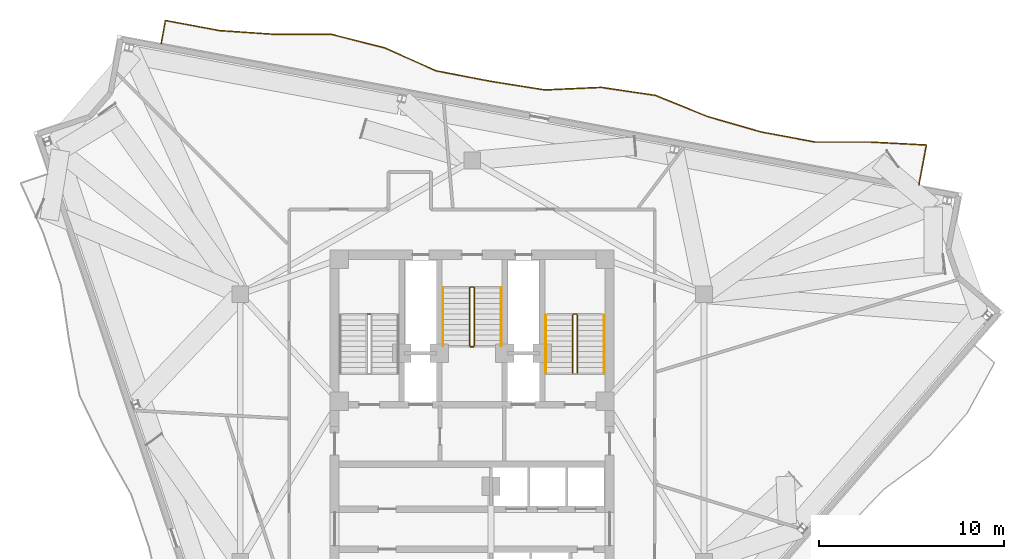
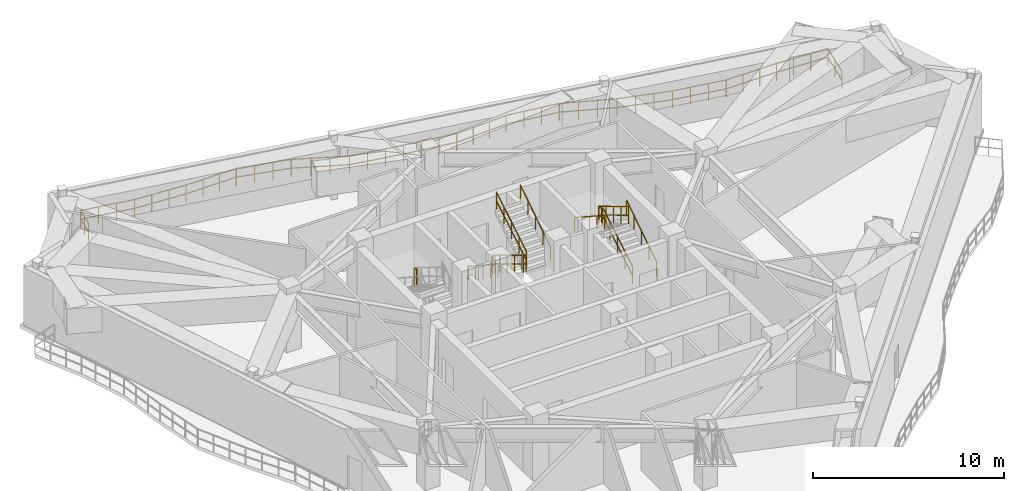
# One storey, part 10 of 10: 13 railings.
"""IFC4 building model written with IfcOpenShell, lengths in metres."""

import ifcopenshell
import ifcopenshell.guid

model = None  # the IFC model being written
_history = None  # IfcOwnerHistory: only IFC2X3 demands one
_inside = {}  # id of a spatial element -> (the spatial element, [elements in it])
_under = {}  # id of a project, library or spatial element -> (it, [spatial elements below it])
_declared = {}  # id of a project -> (the project, [libraries it declares])
_typed = {}  # id of a type object -> (the type object, [elements of that type])
_made_of = {}  # id of a material, layer set ... -> (it, [elements and type objects made of it])


def new_model(schema):
    """Start an empty IFC model of exactly this schema.

    Asked for "IFC4X3", IfcOpenShell would pick the latest addendum, in which some entities
    have other attributes; the version numbers below select the first issue.
    IFC2X3 requires an IfcOwnerHistory on every rooted entity: one is made here for all.
    """
    global model, _history
    if schema == "IFC4X3":
        model = ifcopenshell.file(schema_version=(4, 3, 0, 0))
    else:
        model = ifcopenshell.file(schema=schema)
    _inside.clear()
    _under.clear()
    _declared.clear()
    _typed.clear()
    _made_of.clear()
    _history = None
    if model.schema == "IFC2X3":
        org = make("IfcOrganization", Name="unknown")
        user = make(
            "IfcPersonAndOrganization",
            ThePerson=make("IfcPerson", FamilyName="unknown"),
            TheOrganization=org,
        )
        app = make(
            "IfcApplication",
            ApplicationDeveloper=org,
            Version="unknown",
            ApplicationFullName="unknown",
            ApplicationIdentifier="unknown",
        )
        _history = make(
            "IfcOwnerHistory",
            OwningUser=user,
            OwningApplication=app,
            ChangeAction="ADDED",
            CreationDate=0,
        )
    return model


def make(cls, **values):
    """One entity of the class cls with the attributes given. An attribute that is None is left unset."""
    return model.create_entity(
        cls, **{name: value for name, value in values.items() if value is not None}
    )


def rooted(cls, **values):
    """An entity with a GlobalId (a new one), such as an element, a storey or a relation."""
    return make(cls, GlobalId=ifcopenshell.guid.new(), OwnerHistory=_history, **values)


def si_unit(unit_type, name, prefix=None):
    """IfcSIUnit, for example si_unit("LENGTHUNIT", "METRE", prefix="MILLI")."""
    return make("IfcSIUnit", UnitType=unit_type, Prefix=prefix, Name=name)


def assignment(units):
    """IfcUnitAssignment: the units of a project."""
    return None if units is None else make("IfcUnitAssignment", Units=units)


def point(xyz):
    """IfcCartesianPoint."""
    return None if xyz is None else make("IfcCartesianPoint", Coordinates=xyz)


def direction(xyz):
    """IfcDirection."""
    return None if xyz is None else make("IfcDirection", DirectionRatios=xyz)


def frame(location, z_axis=None, x_axis=None):
    """IfcAxis2Placement3D, a coordinate frame: its origin and axes. An axis left out is left unset."""
    return make(
        "IfcAxis2Placement3D",
        Location=point(location),
        Axis=direction(z_axis),
        RefDirection=direction(x_axis),
    )


def frame_2d(location, x_axis=None):
    """IfcAxis2Placement2D, a coordinate frame in the plane: its origin and x axis."""
    return make(
        "IfcAxis2Placement2D", Location=point(location), RefDirection=direction(x_axis)
    )


def origin():
    """The frame at (0, 0, 0) with its axes left unset."""
    return frame((0.0, 0.0, 0.0))


def origin_2d():
    """The frame at (0, 0) in the plane with its x axis left unset."""
    return frame_2d((0.0, 0.0))


def place(relative_to, where):
    """IfcLocalPlacement: puts the frame where relative to a parent placement (None: the world)."""
    return make(
        "IfcLocalPlacement", PlacementRelTo=relative_to, RelativePlacement=where
    )


def context(
    kind, dimensions, precision=None, world=None, true_north=None, identifier=None
):
    """IfcGeometricRepresentationContext, for example the 3D "Model" context."""
    return make(
        "IfcGeometricRepresentationContext",
        ContextIdentifier=identifier,
        ContextType=kind,
        CoordinateSpaceDimension=dimensions,
        Precision=precision,
        WorldCoordinateSystem=world,
        TrueNorth=true_north,
    )


def subcontext(parent, identifier, kind, view, scale=None):
    """IfcGeometricRepresentationSubContext, for example "Body" below "Model"."""
    return make(
        "IfcGeometricRepresentationSubContext",
        ContextIdentifier=identifier,
        ContextType=kind,
        ParentContext=parent,
        TargetScale=scale,
        TargetView=view,
    )


def project(units=None, contexts=None):
    """IfcProject with its units and contexts."""
    return rooted(
        "IfcProject",
        Name="project",
        RepresentationContexts=contexts,
        UnitsInContext=assignment(units),
    )


def spatial(cls, under=None, at=None, **own):
    """A site, building, storey or space (cls), placed at a placement, below another one or the project."""
    s = rooted(cls, ObjectPlacement=at, **own)
    if under is not None:
        _under.setdefault(under.id(), (under, []))[1].append(s)
    return s


def profile(cls, at=None, kind="AREA", **sizes):
    """A parametric profile (cls). Its sizes go by their IFC names, for example OverallWidth=200.0."""
    return make(cls, ProfileType=kind, Position=at, **sizes)


def rectangle(**sizes):
    """IfcRectangleProfileDef."""
    return profile("IfcRectangleProfileDef", **sizes)


def extrude(swept, where, along, depth):
    """IfcExtrudedAreaSolid: the profile swept, set in the frame where, extruded along a direction by depth."""
    return make(
        "IfcExtrudedAreaSolid",
        SweptArea=swept,
        Position=where,
        ExtrudedDirection=direction(along),
        Depth=depth,
    )


def shape(context_of_items, identifier, shape_type, items):
    """IfcShapeRepresentation: the items that make up one representation, for example the "Body"."""
    return make(
        "IfcShapeRepresentation",
        ContextOfItems=context_of_items,
        RepresentationIdentifier=identifier,
        RepresentationType=shape_type,
        Items=items,
    )


def material(Name=None, Category=None):
    """IfcMaterial."""
    return make("IfcMaterial", Name=Name, Category=Category)


def made_of(thing, what):
    """Note that an element or type object is made of a material, layer set ...; save() writes the relation."""
    if what is not None:
        _made_of.setdefault(what.id(), (what, []))[1].append(thing)
    return thing


def type_object(cls, material=None, **own):
    """A type object (cls), such as IfcWallType, which elements share."""
    return made_of(rooted(cls, **own), material)


def element(
    cls,
    number,
    at=None,
    inside=None,
    cuts=None,
    type_object=None,
    material=None,
    context=None,
    identifier="Body",
    shape_type=None,
    held_by="IfcProductDefinitionShape",
    body=None,
    shapes=None,
    **own,
):
    """One element of the class cls, such as IfcWall. Its Tag is "e" and its number.

    at: its placement. inside: the storey or other place that contains it. cuts: it is an
    opening in that element (IfcRelVoidsElement). A single representation is given by context,
    identifier, shape_type and body (its items); several are given by shapes. held_by: the class
    of the entity that holds the representations. save() writes the other relations.
    """
    e = rooted(cls, Tag="e%d" % number, ObjectPlacement=at, **own)
    if body is not None:
        shapes = [shape(context, identifier, shape_type, body)]
    if shapes is not None:
        e.Representation = make(held_by, Representations=shapes)
    if inside is not None:
        _inside.setdefault(inside.id(), (inside, []))[1].append(e)
    if cuts is not None:
        rooted(
            "IfcRelVoidsElement", RelatingBuildingElement=cuts, RelatedOpeningElement=e
        )
    if type_object is not None:
        _typed.setdefault(type_object.id(), (type_object, []))[1].append(e)
    return made_of(e, material)


def aggregate(whole, parts):
    """IfcRelAggregates: a whole, such as a stair, and the parts it consists of."""
    return rooted("IfcRelAggregates", RelatingObject=whole, RelatedObjects=parts)


def save(model, path):
    """Write the relations noted so far, then the file.

    IfcRelAggregates (storeys below a building ...), IfcRelContainedInSpatialStructure (elements
    in a storey), IfcRelDefinesByType, IfcRelAssociatesMaterial and IfcRelDeclares: one each for
    every whole, place, type object, material and project.
    """
    for whole, parts in _under.values():
        aggregate(whole, parts)
    for where, things in _inside.values():
        rooted(
            "IfcRelContainedInSpatialStructure",
            RelatedElements=things,
            RelatingStructure=where,
        )
    for kind, things in _typed.values():
        rooted("IfcRelDefinesByType", RelatedObjects=things, RelatingType=kind)
    for what, things in _made_of.values():
        rooted("IfcRelAssociatesMaterial", RelatedObjects=things, RelatingMaterial=what)
    for by, libraries in _declared.values():
        rooted("IfcRelDeclares", RelatingContext=by, RelatedDefinitions=libraries)
    model.write(path)


model = new_model("IFC4")

# Units and contexts
model_context = context("Model", 3, precision=1e-05, world=origin(), true_north=direction((0.0, 1.0)))
body_context = subcontext(model_context, "Body", "Model", "MODEL_VIEW")
ifc_project = project(units=[si_unit("LENGTHUNIT", "METRE"), si_unit("AREAUNIT", "SQUARE_METRE"), si_unit("VOLUMEUNIT", "CUBIC_METRE"), si_unit("PLANEANGLEUNIT", "RADIAN"), si_unit("MASSUNIT", "GRAM", prefix="KILO")], contexts=[model_context])

# Site, building, storey
site_placement = place(None, origin())
site = spatial("IfcSite", under=ifc_project, at=site_placement, CompositionType="ELEMENT")
building_placement = place(site_placement, origin())
building = spatial("IfcBuilding", under=site, at=building_placement, Name="Apsidion Concourse Tower", CompositionType="ELEMENT")
storey_placement = place(building_placement, frame((0.0, 0.0, 290.10009765625)))
storey = spatial("IfcBuildingStorey", under=building, at=storey_placement, Name="L68", CompositionType="ELEMENT", Elevation=290.10009765625)

# Railings
ifc_material = material(Name="Brushed stainless steel 316", Category="steel")
railing_type_1 = type_object("IfcRailingType", Name="RL-BAL-1120", PredefinedType="BALUSTRADE", material=ifc_material)
railing_1_placement = place(storey_placement, frame((-16.84228515625, 20.8583984375, 0.0)))
element("IfcRailing", 1, at=railing_1_placement, inside=storey, type_object=railing_type_1, Name="L68 Face 3 Rippling Balcony Balustrade", PredefinedType="BALUSTRADE", context=body_context, shape_type="SweptSolid", body=[
    extrude(rectangle(XDim=0.048095703125, YDim=0.048095703125, at=origin_2d()), frame((0.0, 0.0, 1.09619140625), z_axis=(0.183970153766, 0.982931830049, 0.0), x_axis=(-0.982931830049, 0.183970153766, 0.0)), (0.0, 0.0, 1.0), 1.25),
    extrude(rectangle(XDim=0.048095703125, YDim=0.048095703125, at=origin_2d()), frame((0.0, 0.0, 0.5361328125), z_axis=(0.183970153766, 0.982931830049, 0.0), x_axis=(-0.982931830049, 0.183970153766, 0.0)), (0.0, 0.0, 1.0), 1.25),
    extrude(rectangle(XDim=0.048095703125, YDim=0.048095703125, at=origin_2d()), frame((0.22998046875, 1.228759765625, 1.09619140625), z_axis=(0.982944381003, -0.183903082774, 0.0), x_axis=(0.183903082774, 0.982944381003, 0.0)), (0.0, 0.0, 1.0), 2.98291015625),
    extrude(rectangle(XDim=0.048095703125, YDim=0.048095703125, at=origin_2d()), frame((0.22998046875, 1.228759765625, 0.5361328125), z_axis=(0.982944381003, -0.183903082774, 0.0), x_axis=(0.183903082774, 0.982944381003, 0.0)), (0.0, 0.0, 1.0), 2.98291015625),
    extrude(rectangle(XDim=0.048095703125, YDim=0.048095703125, at=origin_2d()), frame((3.162109375, 0.68017578125, 1.09619140625), z_axis=(0.997721772554, -0.067463060792, 0.0), x_axis=(0.067463060792, 0.997721772554, 0.0)), (0.0, 0.0, 1.0), 3.003662109375),
    extrude(rectangle(XDim=0.048095703125, YDim=0.048095703125, at=origin_2d()), frame((3.162109375, 0.68017578125, 0.5361328125), z_axis=(0.997721772554, -0.067463060792, 0.0), x_axis=(0.067463060792, 0.997721772554, 0.0)), (0.0, 0.0, 1.0), 3.003662109375),
    extrude(rectangle(XDim=0.048095703125, YDim=0.048095703125, at=origin_2d()), frame((6.158935546875, 0.4775390625, 1.09619140625), z_axis=(0.99999728104, 0.00233193319, 0.0), x_axis=(-0.00233193319, 0.99999728104, 0.0)), (0.0, 0.0, 1.0), 3.0361328125),
    extrude(rectangle(XDim=0.048095703125, YDim=0.048095703125, at=origin_2d()), frame((6.158935546875, 0.4775390625, 0.5361328125), z_axis=(0.99999728104, 0.00233193319, 0.0), x_axis=(-0.00233193319, 0.99999728104, 0.0)), (0.0, 0.0, 1.0), 3.0361328125),
    extrude(rectangle(XDim=0.048095703125, YDim=0.048095703125, at=origin_2d()), frame((9.195068359375, 0.484619140625, 1.09619140625), z_axis=(0.96934943202, -0.245686138483, 0.0), x_axis=(0.245686138483, 0.96934943202, 0.0)), (0.0, 0.0, 1.0), 2.989013671875),
    extrude(rectangle(XDim=0.048095703125, YDim=0.048095703125, at=origin_2d()), frame((9.195068359375, 0.484619140625, 0.5361328125), z_axis=(0.96934943202, -0.245686138483, 0.0), x_axis=(0.245686138483, 0.96934943202, 0.0)), (0.0, 0.0, 1.0), 2.989013671875),
    extrude(rectangle(XDim=0.048095703125, YDim=0.048095703125, at=origin_2d()), frame((12.092529296875, -0.249755859375, 1.09619140625), z_axis=(0.913354695887, -0.407164830875, 0.0), x_axis=(0.407164830875, 0.913354695887, 0.0)), (0.0, 0.0, 1.0), 3.06689453125),
    extrude(rectangle(XDim=0.048095703125, YDim=0.048095703125, at=origin_2d()), frame((12.092529296875, -0.249755859375, 0.5361328125), z_axis=(0.913354695887, -0.407164830875, 0.0), x_axis=(0.407164830875, 0.913354695887, 0.0)), (0.0, 0.0, 1.0), 3.06689453125),
    extrude(rectangle(XDim=0.048095703125, YDim=0.048095703125, at=origin_2d()), frame((14.893798828125, -1.49853515625, 1.09619140625), z_axis=(0.981965560315, -0.189059880341, 0.0), x_axis=(0.189059880341, 0.981965560315, 0.0)), (0.0, 0.0, 1.0), 2.98291015625),
    extrude(rectangle(XDim=0.048095703125, YDim=0.048095703125, at=origin_2d()), frame((14.893798828125, -1.49853515625, 0.5361328125), z_axis=(0.981965560315, -0.189059880341, 0.0), x_axis=(0.189059880341, 0.981965560315, 0.0)), (0.0, 0.0, 1.0), 2.98291015625),
    extrude(rectangle(XDim=0.048095703125, YDim=0.048095703125, at=origin_2d()), frame((17.822998046875, -2.0625, 1.09619140625), z_axis=(0.98749418171, -0.157655450551, 0.0), x_axis=(0.157655450551, 0.98749418171, 0.0)), (0.0, 0.0, 1.0), 2.984130859375),
    extrude(rectangle(XDim=0.048095703125, YDim=0.048095703125, at=origin_2d()), frame((17.822998046875, -2.0625, 0.5361328125), z_axis=(0.98749418171, -0.157655450551, 0.0), x_axis=(0.157655450551, 0.98749418171, 0.0)), (0.0, 0.0, 1.0), 2.984130859375),
    extrude(rectangle(XDim=0.048095703125, YDim=0.048095703125, at=origin_2d()), frame((20.769775390625, -2.532958984375, 1.09619140625), z_axis=(0.998989464553, 0.044944963147, 0.0), x_axis=(-0.044944963147, 0.998989464553, 0.0)), (0.0, 0.0, 1.0), 3.063720703125),
    extrude(rectangle(XDim=0.048095703125, YDim=0.048095703125, at=origin_2d()), frame((20.769775390625, -2.532958984375, 0.5361328125), z_axis=(0.998989464553, 0.044944963147, 0.0), x_axis=(-0.044944963147, 0.998989464553, 0.0)), (0.0, 0.0, 1.0), 3.063720703125),
    extrude(rectangle(XDim=0.048095703125, YDim=0.048095703125, at=origin_2d()), frame((23.830322265625, -2.395263671875, 1.09619140625), z_axis=(0.98927448252, -0.146068471047, 0.0), x_axis=(0.146068471047, 0.98927448252, 0.0)), (0.0, 0.0, 1.0), 2.985107421875),
    extrude(rectangle(XDim=0.048095703125, YDim=0.048095703125, at=origin_2d()), frame((23.830322265625, -2.395263671875, 0.5361328125), z_axis=(0.98927448252, -0.146068471047, 0.0), x_axis=(0.146068471047, 0.98927448252, 0.0)), (0.0, 0.0, 1.0), 2.985107421875),
    extrude(rectangle(XDim=0.048095703125, YDim=0.048095703125, at=origin_2d()), frame((26.783447265625, -2.831298828125, 1.09619140625), z_axis=(0.926270733446, -0.376858764474, 0.0), x_axis=(0.376858764474, 0.926270733446, 0.0)), (0.0, 0.0, 1.0), 3.044921875),
    extrude(rectangle(XDim=0.048095703125, YDim=0.048095703125, at=origin_2d()), frame((26.783447265625, -2.831298828125, 0.5361328125), z_axis=(0.926270733446, -0.376858764474, 0.0), x_axis=(0.376858764474, 0.926270733446, 0.0)), (0.0, 0.0, 1.0), 3.044921875),
    extrude(rectangle(XDim=0.048095703125, YDim=0.048095703125, at=origin_2d()), frame((29.603759765625, -3.978759765625, 1.09619140625), z_axis=(0.961212789096, -0.275807857175, 0.0), x_axis=(0.275807857175, 0.961212789096, 0.0)), (0.0, 0.0, 1.0), 2.996337890625),
    extrude(rectangle(XDim=0.048095703125, YDim=0.048095703125, at=origin_2d()), frame((29.603759765625, -3.978759765625, 0.5361328125), z_axis=(0.961212789096, -0.275807857175, 0.0), x_axis=(0.275807857175, 0.961212789096, 0.0)), (0.0, 0.0, 1.0), 2.996337890625),
    extrude(rectangle(XDim=0.048095703125, YDim=0.048095703125, at=origin_2d()), frame((32.48388671875, -4.80517578125, 1.09619140625), z_axis=(0.982944381003, -0.183903082774, 0.0), x_axis=(0.183903082774, 0.982944381003, 0.0)), (0.0, 0.0, 1.0), 2.98291015625),
    extrude(rectangle(XDim=0.048095703125, YDim=0.048095703125, at=origin_2d()), frame((32.48388671875, -4.80517578125, 0.5361328125), z_axis=(0.982944381003, -0.183903082774, 0.0), x_axis=(0.183903082774, 0.982944381003, 0.0)), (0.0, 0.0, 1.0), 2.98291015625),
    extrude(rectangle(XDim=0.048095703125, YDim=0.048095703125, at=origin_2d()), frame((35.416015625, -5.353759765625, 1.09619140625), z_axis=(0.999998571945, -0.001690002415, 0.0), x_axis=(0.001690002415, 0.999998571945, 0.0)), (0.0, 0.0, 1.0), 3.03369140625),
    extrude(rectangle(XDim=0.048095703125, YDim=0.048095703125, at=origin_2d()), frame((35.416015625, -5.353759765625, 0.5361328125), z_axis=(0.999998571945, -0.001690002415, 0.0), x_axis=(0.001690002415, 0.999998571945, 0.0)), (0.0, 0.0, 1.0), 3.03369140625),
    extrude(rectangle(XDim=0.048095703125, YDim=0.048095703125, at=origin_2d()), frame((38.44970703125, -5.35888671875, 1.09619140625), z_axis=(0.998617381106, -0.052567348737, 0.0), x_axis=(0.052567348737, 0.998617381106, 0.0)), (0.0, 0.0, 1.0), 3.009521484375),
    extrude(rectangle(XDim=0.048095703125, YDim=0.048095703125, at=origin_2d()), frame((38.44970703125, -5.35888671875, 0.5361328125), z_axis=(0.998617381106, -0.052567348737, 0.0), x_axis=(0.052567348737, 0.998617381106, 0.0)), (0.0, 0.0, 1.0), 3.009521484375),
    extrude(rectangle(XDim=0.048095703125, YDim=0.048095703125, at=origin_2d()), frame((41.455078125, -5.51708984375, 1.09619140625), z_axis=(-0.183893181526, -0.982946233417, 0.0), x_axis=(0.982946233417, -0.183893181526, 0.0)), (0.0, 0.0, 1.0), 2.199951171875),
    extrude(rectangle(XDim=0.048095703125, YDim=0.048095703125, at=origin_2d()), frame((41.455078125, -5.51708984375, 0.5361328125), z_axis=(-0.183893181526, -0.982946233417, 0.0), x_axis=(0.982946233417, -0.183893181526, 0.0)), (0.0, 0.0, 1.0), 2.199951171875),
    extrude(rectangle(XDim=0.0419921875, YDim=0.0419921875, at=origin_2d()), origin(), (0.0, 0.0, 1.0), 1.072021484375),
    extrude(rectangle(XDim=0.0419921875, YDim=0.0419921875, at=origin_2d()), frame((0.114990234375, 0.6142578125, 0.0)), (0.0, 0.0, 1.0), 1.072021484375),
    extrude(rectangle(XDim=0.0419921875, YDim=0.0419921875, at=origin_2d()), frame((0.22998046875, 1.228759765625, 0.0)), (0.0, 0.0, 1.0), 1.072021484375),
    extrude(rectangle(XDim=0.0419921875, YDim=0.0419921875, at=origin_2d()), frame((1.207275390625, 1.0458984375, 0.0)), (0.0, 0.0, 1.0), 1.072021484375),
    extrude(rectangle(XDim=0.0419921875, YDim=0.0419921875, at=origin_2d()), frame((2.184814453125, 0.863037109375, 0.0)), (0.0, 0.0, 1.0), 1.072021484375),
    extrude(rectangle(XDim=0.0419921875, YDim=0.0419921875, at=origin_2d()), frame((3.162109375, 0.68017578125, 0.0)), (0.0, 0.0, 1.0), 1.072021484375),
    extrude(rectangle(XDim=0.0419921875, YDim=0.0419921875, at=origin_2d()), frame((4.1611328125, 0.612548828125, 0.0)), (0.0, 0.0, 1.0), 1.072021484375),
    extrude(rectangle(XDim=0.0419921875, YDim=0.0419921875, at=origin_2d()), frame((5.159912109375, 0.545166015625, 0.0)), (0.0, 0.0, 1.0), 1.072021484375),
    extrude(rectangle(XDim=0.0419921875, YDim=0.0419921875, at=origin_2d()), frame((6.158935546875, 0.4775390625, 0.0)), (0.0, 0.0, 1.0), 1.072021484375),
    extrude(rectangle(XDim=0.0419921875, YDim=0.0419921875, at=origin_2d()), frame((7.1708984375, 0.47998046875, 0.0)), (0.0, 0.0, 1.0), 1.072021484375),
    extrude(rectangle(XDim=0.0419921875, YDim=0.0419921875, at=origin_2d()), frame((8.18310546875, 0.482177734375, 0.0)), (0.0, 0.0, 1.0), 1.072021484375),
    extrude(rectangle(XDim=0.0419921875, YDim=0.0419921875, at=origin_2d()), frame((9.195068359375, 0.484619140625, 0.0)), (0.0, 0.0, 1.0), 1.072021484375),
    extrude(rectangle(XDim=0.0419921875, YDim=0.0419921875, at=origin_2d()), frame((10.160888671875, 0.23974609375, 0.0)), (0.0, 0.0, 1.0), 1.072021484375),
    extrude(rectangle(XDim=0.0419921875, YDim=0.0419921875, at=origin_2d()), frame((11.126708984375, -0.0048828125, 0.0)), (0.0, 0.0, 1.0), 1.072021484375),
    extrude(rectangle(XDim=0.0419921875, YDim=0.0419921875, at=origin_2d()), frame((12.092529296875, -0.249755859375, 0.0)), (0.0, 0.0, 1.0), 1.072021484375),
    extrude(rectangle(XDim=0.0419921875, YDim=0.0419921875, at=origin_2d()), frame((13.0263671875, -0.666015625, 0.0)), (0.0, 0.0, 1.0), 1.072021484375),
    extrude(rectangle(XDim=0.0419921875, YDim=0.0419921875, at=origin_2d()), frame((13.9599609375, -1.082275390625, 0.0)), (0.0, 0.0, 1.0), 1.072021484375),
    extrude(rectangle(XDim=0.0419921875, YDim=0.0419921875, at=origin_2d()), frame((14.893798828125, -1.49853515625, 0.0)), (0.0, 0.0, 1.0), 1.072021484375),
    extrude(rectangle(XDim=0.0419921875, YDim=0.0419921875, at=origin_2d()), frame((15.8701171875, -1.6865234375, 0.0)), (0.0, 0.0, 1.0), 1.072021484375),
    extrude(rectangle(XDim=0.0419921875, YDim=0.0419921875, at=origin_2d()), frame((16.8466796875, -1.87451171875, 0.0)), (0.0, 0.0, 1.0), 1.072021484375),
    extrude(rectangle(XDim=0.0419921875, YDim=0.0419921875, at=origin_2d()), frame((17.822998046875, -2.0625, 0.0)), (0.0, 0.0, 1.0), 1.072021484375),
    extrude(rectangle(XDim=0.0419921875, YDim=0.0419921875, at=origin_2d()), frame((18.80517578125, -2.21923828125, 0.0)), (0.0, 0.0, 1.0), 1.072021484375),
    extrude(rectangle(XDim=0.0419921875, YDim=0.0419921875, at=origin_2d()), frame((19.78759765625, -2.376220703125, 0.0)), (0.0, 0.0, 1.0), 1.072021484375),
    extrude(rectangle(XDim=0.0419921875, YDim=0.0419921875, at=origin_2d()), frame((20.769775390625, -2.532958984375, 0.0)), (0.0, 0.0, 1.0), 1.072021484375),
    extrude(rectangle(XDim=0.0419921875, YDim=0.0419921875, at=origin_2d()), frame((21.7900390625, -2.487060546875, 0.0)), (0.0, 0.0, 1.0), 1.072021484375),
    extrude(rectangle(XDim=0.0419921875, YDim=0.0419921875, at=origin_2d()), frame((22.81005859375, -2.441162109375, 0.0)), (0.0, 0.0, 1.0), 1.072021484375),
    extrude(rectangle(XDim=0.0419921875, YDim=0.0419921875, at=origin_2d()), frame((23.830322265625, -2.395263671875, 0.0)), (0.0, 0.0, 1.0), 1.072021484375),
    extrude(rectangle(XDim=0.0419921875, YDim=0.0419921875, at=origin_2d()), frame((24.814697265625, -2.54052734375, 0.0)), (0.0, 0.0, 1.0), 1.072021484375),
    extrude(rectangle(XDim=0.0419921875, YDim=0.0419921875, at=origin_2d()), frame((25.799072265625, -2.68603515625, 0.0)), (0.0, 0.0, 1.0), 1.072021484375),
    extrude(rectangle(XDim=0.0419921875, YDim=0.0419921875, at=origin_2d()), frame((26.783447265625, -2.831298828125, 0.0)), (0.0, 0.0, 1.0), 1.072021484375),
    extrude(rectangle(XDim=0.0419921875, YDim=0.0419921875, at=origin_2d()), frame((27.7236328125, -3.2138671875, 0.0)), (0.0, 0.0, 1.0), 1.072021484375),
    extrude(rectangle(XDim=0.0419921875, YDim=0.0419921875, at=origin_2d()), frame((28.66357421875, -3.59619140625, 0.0)), (0.0, 0.0, 1.0), 1.072021484375),
    extrude(rectangle(XDim=0.0419921875, YDim=0.0419921875, at=origin_2d()), frame((29.603759765625, -3.978759765625, 0.0)), (0.0, 0.0, 1.0), 1.072021484375),
    extrude(rectangle(XDim=0.0419921875, YDim=0.0419921875, at=origin_2d()), frame((30.563720703125, -4.254150390625, 0.0)), (0.0, 0.0, 1.0), 1.072021484375),
    extrude(rectangle(XDim=0.0419921875, YDim=0.0419921875, at=origin_2d()), frame((31.52392578125, -4.52978515625, 0.0)), (0.0, 0.0, 1.0), 1.072021484375),
    extrude(rectangle(XDim=0.0419921875, YDim=0.0419921875, at=origin_2d()), frame((32.48388671875, -4.80517578125, 0.0)), (0.0, 0.0, 1.0), 1.072021484375),
    extrude(rectangle(XDim=0.0419921875, YDim=0.0419921875, at=origin_2d()), frame((33.461181640625, -4.988037109375, 0.0)), (0.0, 0.0, 1.0), 1.072021484375),
    extrude(rectangle(XDim=0.0419921875, YDim=0.0419921875, at=origin_2d()), frame((34.438720703125, -5.1708984375, 0.0)), (0.0, 0.0, 1.0), 1.072021484375),
    extrude(rectangle(XDim=0.0419921875, YDim=0.0419921875, at=origin_2d()), frame((35.416015625, -5.353759765625, 0.0)), (0.0, 0.0, 1.0), 1.072021484375),
    extrude(rectangle(XDim=0.0419921875, YDim=0.0419921875, at=origin_2d()), frame((36.42724609375, -5.35546875, 0.0)), (0.0, 0.0, 1.0), 1.072021484375),
    extrude(rectangle(XDim=0.0419921875, YDim=0.0419921875, at=origin_2d()), frame((37.4384765625, -5.357177734375, 0.0)), (0.0, 0.0, 1.0), 1.072021484375),
    extrude(rectangle(XDim=0.0419921875, YDim=0.0419921875, at=origin_2d()), frame((38.44970703125, -5.35888671875, 0.0)), (0.0, 0.0, 1.0), 1.072021484375),
    extrude(rectangle(XDim=0.0419921875, YDim=0.0419921875, at=origin_2d()), frame((39.451416015625, -5.41162109375, 0.0)), (0.0, 0.0, 1.0), 1.072021484375),
    extrude(rectangle(XDim=0.0419921875, YDim=0.0419921875, at=origin_2d()), frame((40.453369140625, -5.46435546875, 0.0)), (0.0, 0.0, 1.0), 1.072021484375),
    extrude(rectangle(XDim=0.0419921875, YDim=0.0419921875, at=origin_2d()), frame((41.455078125, -5.51708984375, 0.0)), (0.0, 0.0, 1.0), 1.072021484375),
    extrude(rectangle(XDim=0.0419921875, YDim=0.0419921875, at=origin_2d()), frame((41.2529296875, -6.59814453125, 0.0)), (0.0, 0.0, 1.0), 1.072021484375),
    extrude(rectangle(XDim=0.0419921875, YDim=0.0419921875, at=origin_2d()), frame((41.050537109375, -7.679443359375, 0.0)), (0.0, 0.0, 1.0), 1.072021484375),
])
railing_type_2 = type_object("IfcRailingType", Name="RL-GUARD-1100", PredefinedType="GUARDRAIL", material=ifc_material)
railing_2_placement = place(storey_placement, frame((-5.5, 6.18505859375, 2.0498046875)))
element("IfcRailing", 2, at=railing_2_placement, inside=storey, type_object=railing_type_2, Name="L68 ST1 stair guard 2", PredefinedType="GUARDRAIL", context=body_context, shape_type="SweptSolid", body=[
    extrude(rectangle(XDim=0.048095703125, YDim=0.048095703125, at=origin_2d()), frame((0.0, 0.0, 1.09619140625), z_axis=(-1.0, 0.0, 0.0), x_axis=(0.0, -1.0, 0.0)), (0.0, 0.0, 1.0), 0.14990234375),
    extrude(rectangle(XDim=0.048095703125, YDim=0.048095703125, at=origin_2d()), frame((0.0, 0.0, 0.5361328125), z_axis=(-1.0, 0.0, 0.0), x_axis=(0.0, -1.0, 0.0)), (0.0, 0.0, 1.0), 0.14990234375),
    extrude(rectangle(XDim=0.0419921875, YDim=0.0419921875, at=origin_2d()), origin(), (0.0, 0.0, 1.0), 1.072021484375),
    extrude(rectangle(XDim=0.0419921875, YDim=0.0419921875, at=origin_2d()), frame((-0.14990234375, 0.0, 0.0)), (0.0, 0.0, 1.0), 1.072021484375),
])
railing_3_placement = place(storey_placement, frame((5.699951171875, 3.0, 0.170654296875)))
element("IfcRailing", 3, at=railing_3_placement, inside=storey, type_object=railing_type_2, Name="L68 ST2 stair guard 1", PredefinedType="GUARDRAIL", context=body_context, shape_type="SweptSolid", body=[
    extrude(rectangle(XDim=0.048095703125, YDim=0.048095703125, at=origin_2d()), frame((0.0, 0.0, 1.09619140625), z_axis=(0.0, 0.857716804754, 0.514122439544), x_axis=(-1.0, 0.0, 0.0)), (0.0, 0.0, 1.0), 3.655029296875),
    extrude(rectangle(XDim=0.048095703125, YDim=0.048095703125, at=origin_2d()), frame((0.0, 0.0, 0.5361328125), z_axis=(0.0, 0.857716804754, 0.514122439544), x_axis=(-1.0, 0.0, 0.0)), (0.0, 0.0, 1.0), 3.655029296875),
    extrude(rectangle(XDim=0.0419921875, YDim=0.0419921875, at=origin_2d()), origin(), (0.0, 0.0, 1.0), 1.072021484375),
    extrude(rectangle(XDim=0.0419921875, YDim=0.0419921875, at=origin_2d()), frame((0.0, 0.78369140625, 0.4697265625)), (0.0, 0.0, 1.0), 1.072021484375),
    extrude(rectangle(XDim=0.0419921875, YDim=0.0419921875, at=origin_2d()), frame((0.0, 1.5673828125, 0.939453125)), (0.0, 0.0, 1.0), 1.072021484375),
    extrude(rectangle(XDim=0.0419921875, YDim=0.0419921875, at=origin_2d()), frame((0.0, 2.351318359375, 1.409423828125)), (0.0, 0.0, 1.0), 1.072021484375),
    extrude(rectangle(XDim=0.0419921875, YDim=0.0419921875, at=origin_2d()), frame((0.0, 3.135009765625, 1.879150390625)), (0.0, 0.0, 1.0), 1.072021484375),
])
railing_4_placement = place(storey_placement, frame((5.64990234375, 6.18505859375, 2.0498046875)))
element("IfcRailing", 4, at=railing_4_placement, inside=storey, type_object=railing_type_2, Name="L68 ST2 stair guard 2", PredefinedType="GUARDRAIL", context=body_context, shape_type="SweptSolid", body=[
    extrude(rectangle(XDim=0.048095703125, YDim=0.048095703125, at=origin_2d()), frame((0.0, 0.0, 1.09619140625), z_axis=(-1.0, 0.0, 0.0), x_axis=(0.0, -1.0, 0.0)), (0.0, 0.0, 1.0), 0.14990234375),
    extrude(rectangle(XDim=0.048095703125, YDim=0.048095703125, at=origin_2d()), frame((0.0, 0.0, 0.5361328125), z_axis=(-1.0, 0.0, 0.0), x_axis=(0.0, -1.0, 0.0)), (0.0, 0.0, 1.0), 0.14990234375),
    extrude(rectangle(XDim=0.0419921875, YDim=0.0419921875, at=origin_2d()), origin(), (0.0, 0.0, 1.0), 1.072021484375),
    extrude(rectangle(XDim=0.0419921875, YDim=0.0419921875, at=origin_2d()), frame((-0.14990234375, 0.0, 0.0)), (0.0, 0.0, 1.0), 1.072021484375),
])
for number, where, name in (
    (5, (5.449951171875, 6.135009765625, 2.220703125), "L68 ST2 stair guard 3"),
    (6, (-0.125, 7.60009765625, 0.170654296875), "L68 ST3 stair guard 1"),
):
    element("IfcRailing", number, at=place(storey_placement, frame(where)), inside=storey, type_object=railing_type_2, Name=name, PredefinedType="GUARDRAIL", context=body_context, shape_type="SweptSolid", body=[
        extrude(rectangle(XDim=0.048095703125, YDim=0.048095703125, at=origin_2d()), frame((0.0, 0.0, 1.09619140625), z_axis=(0.0, -0.857716804754, 0.514122439544), x_axis=(1.0, 0.0, 0.0)), (0.0, 0.0, 1.0), 3.655029296875),
        extrude(rectangle(XDim=0.048095703125, YDim=0.048095703125, at=origin_2d()), frame((0.0, 0.0, 0.5361328125), z_axis=(0.0, -0.857716804754, 0.514122439544), x_axis=(1.0, 0.0, 0.0)), (0.0, 0.0, 1.0), 3.655029296875),
        extrude(rectangle(XDim=0.0419921875, YDim=0.0419921875, at=origin_2d()), origin(), (0.0, 0.0, 1.0), 1.072021484375),
        extrude(rectangle(XDim=0.0419921875, YDim=0.0419921875, at=origin_2d()), frame((0.0, -0.78369140625, 0.4697265625)), (0.0, 0.0, 1.0), 1.072021484375),
        extrude(rectangle(XDim=0.0419921875, YDim=0.0419921875, at=origin_2d()), frame((0.0, -1.5673828125, 0.939453125)), (0.0, 0.0, 1.0), 1.072021484375),
        extrude(rectangle(XDim=0.0419921875, YDim=0.0419921875, at=origin_2d()), frame((0.0, -2.351318359375, 1.409423828125)), (0.0, 0.0, 1.0), 1.072021484375),
        extrude(rectangle(XDim=0.0419921875, YDim=0.0419921875, at=origin_2d()), frame((0.0, -3.135009765625, 1.879150390625)), (0.0, 0.0, 1.0), 1.072021484375),
    ])
railing_5_placement = place(storey_placement, frame((-0.074951171875, 4.4150390625, 2.0498046875)))
element("IfcRailing", 7, at=railing_5_placement, inside=storey, type_object=railing_type_2, Name="L68 ST3 stair guard 2", PredefinedType="GUARDRAIL", context=body_context, shape_type="SweptSolid", body=[
    extrude(rectangle(XDim=0.048095703125, YDim=0.048095703125, at=origin_2d()), frame((0.0, 0.0, 1.09619140625), z_axis=(1.0, 0.0, 0.0), x_axis=(0.0, 1.0, 0.0)), (0.0, 0.0, 1.0), 0.14990234375),
    extrude(rectangle(XDim=0.048095703125, YDim=0.048095703125, at=origin_2d()), frame((0.0, 0.0, 0.5361328125), z_axis=(1.0, 0.0, 0.0), x_axis=(0.0, 1.0, 0.0)), (0.0, 0.0, 1.0), 0.14990234375),
    extrude(rectangle(XDim=0.0419921875, YDim=0.0419921875, at=origin_2d()), origin(), (0.0, 0.0, 1.0), 1.072021484375),
    extrude(rectangle(XDim=0.0419921875, YDim=0.0419921875, at=origin_2d()), frame((0.14990234375, 0.0, 0.0)), (0.0, 0.0, 1.0), 1.072021484375),
])
railing_6_placement = place(storey_placement, frame((0.125, 4.465087890625, 2.220703125)))
element("IfcRailing", 8, at=railing_6_placement, inside=storey, type_object=railing_type_2, Name="L68 ST3 stair guard 3", PredefinedType="GUARDRAIL", context=body_context, shape_type="SweptSolid", body=[
    extrude(rectangle(XDim=0.048095703125, YDim=0.048095703125, at=origin_2d()), frame((0.0, 0.0, 1.09619140625), z_axis=(0.0, 0.857716804754, 0.514122439544), x_axis=(-1.0, 0.0, 0.0)), (0.0, 0.0, 1.0), 3.655029296875),
    extrude(rectangle(XDim=0.048095703125, YDim=0.048095703125, at=origin_2d()), frame((0.0, 0.0, 0.5361328125), z_axis=(0.0, 0.857716804754, 0.514122439544), x_axis=(-1.0, 0.0, 0.0)), (0.0, 0.0, 1.0), 3.655029296875),
    extrude(rectangle(XDim=0.0419921875, YDim=0.0419921875, at=origin_2d()), origin(), (0.0, 0.0, 1.0), 1.072021484375),
    extrude(rectangle(XDim=0.0419921875, YDim=0.0419921875, at=origin_2d()), frame((0.0, 0.78369140625, 0.4697265625)), (0.0, 0.0, 1.0), 1.072021484375),
    extrude(rectangle(XDim=0.0419921875, YDim=0.0419921875, at=origin_2d()), frame((0.0, 1.5673828125, 0.939453125)), (0.0, 0.0, 1.0), 1.072021484375),
    extrude(rectangle(XDim=0.0419921875, YDim=0.0419921875, at=origin_2d()), frame((0.0, 2.351318359375, 1.409423828125)), (0.0, 0.0, 1.0), 1.072021484375),
    extrude(rectangle(XDim=0.0419921875, YDim=0.0419921875, at=origin_2d()), frame((0.0, 3.135009765625, 1.879150390625)), (0.0, 0.0, 1.0), 1.072021484375),
])
railing_7_placement = place(storey_placement, frame((-0.074951171875, 7.64990234375, 0.0)))
element("IfcRailing", 9, at=railing_7_placement, inside=storey, type_object=railing_type_2, Name="L68 ST3 stair guard 4", PredefinedType="GUARDRAIL", context=body_context, shape_type="SweptSolid", body=[
    extrude(rectangle(XDim=0.048095703125, YDim=0.048095703125, at=origin_2d()), frame((0.0, 0.0, 1.09619140625), z_axis=(1.0, 0.0, 0.0), x_axis=(0.0, 1.0, 0.0)), (0.0, 0.0, 1.0), 0.14990234375),
    extrude(rectangle(XDim=0.048095703125, YDim=0.048095703125, at=origin_2d()), frame((0.0, 0.0, 0.5361328125), z_axis=(1.0, 0.0, 0.0), x_axis=(0.0, 1.0, 0.0)), (0.0, 0.0, 1.0), 0.14990234375),
    extrude(rectangle(XDim=0.0419921875, YDim=0.0419921875, at=origin_2d()), origin(), (0.0, 0.0, 1.0), 1.072021484375),
    extrude(rectangle(XDim=0.0419921875, YDim=0.0419921875, at=origin_2d()), frame((0.14990234375, 0.0, 0.0)), (0.0, 0.0, 1.0), 1.072021484375),
])
railing_type_3 = type_object("IfcRailingType", Name="RL-HAND-900", PredefinedType="HANDRAIL", material=ifc_material)
railing_8_placement = place(storey_placement, frame((7.14990234375, 3.0, 0.170654296875)))
element("IfcRailing", 10, at=railing_8_placement, inside=storey, type_object=railing_type_3, Name="L68 ST2 stair handrail 1", PredefinedType="HANDRAIL", context=body_context, shape_type="SweptSolid", body=[
    extrude(rectangle(XDim=0.048095703125, YDim=0.048095703125, at=origin_2d()), frame((0.0, 0.0, 0.8759765625), z_axis=(0.0, 0.836940907821, 0.547293263996), x_axis=(-1.0, 0.0, 0.0)), (0.0, 0.0, 1.0), 3.745849609375),
    extrude(rectangle(XDim=0.0419921875, YDim=0.0419921875, at=origin_2d()), origin(), (0.0, 0.0, 1.0), 0.851806640625),
    extrude(rectangle(XDim=0.0419921875, YDim=0.0419921875, at=origin_2d()), frame((0.0, 0.78369140625, 0.512451171875)), (0.0, 0.0, 1.0), 0.851806640625),
    extrude(rectangle(XDim=0.0419921875, YDim=0.0419921875, at=origin_2d()), frame((0.0, 1.5673828125, 1.02490234375)), (0.0, 0.0, 1.0), 0.851806640625),
    extrude(rectangle(XDim=0.0419921875, YDim=0.0419921875, at=origin_2d()), frame((0.0, 2.351318359375, 1.53759765625)), (0.0, 0.0, 1.0), 0.851806640625),
    extrude(rectangle(XDim=0.0419921875, YDim=0.0419921875, at=origin_2d()), frame((0.0, 3.135009765625, 2.050048828125)), (0.0, 0.0, 1.0), 0.851806640625),
])
for number, where, name in (
    (11, (4.0, 6.135009765625, 2.220703125), "L68 ST2 stair handrail 2"),
    (12, (-1.574951171875, 7.60009765625, 0.170654296875), "L68 ST3 stair handrail 1"),
):
    element("IfcRailing", number, at=place(storey_placement, frame(where)), inside=storey, type_object=railing_type_3, Name=name, PredefinedType="HANDRAIL", context=body_context, shape_type="SweptSolid", body=[
        extrude(rectangle(XDim=0.048095703125, YDim=0.048095703125, at=origin_2d()), frame((0.0, 0.0, 0.8759765625), z_axis=(0.0, -0.836940907821, 0.547293263996), x_axis=(1.0, 0.0, 0.0)), (0.0, 0.0, 1.0), 3.745849609375),
        extrude(rectangle(XDim=0.0419921875, YDim=0.0419921875, at=origin_2d()), origin(), (0.0, 0.0, 1.0), 0.851806640625),
        extrude(rectangle(XDim=0.0419921875, YDim=0.0419921875, at=origin_2d()), frame((0.0, -0.78369140625, 0.512451171875)), (0.0, 0.0, 1.0), 0.851806640625),
        extrude(rectangle(XDim=0.0419921875, YDim=0.0419921875, at=origin_2d()), frame((0.0, -1.5673828125, 1.02490234375)), (0.0, 0.0, 1.0), 0.851806640625),
        extrude(rectangle(XDim=0.0419921875, YDim=0.0419921875, at=origin_2d()), frame((0.0, -2.351318359375, 1.53759765625)), (0.0, 0.0, 1.0), 0.851806640625),
        extrude(rectangle(XDim=0.0419921875, YDim=0.0419921875, at=origin_2d()), frame((0.0, -3.135009765625, 2.050048828125)), (0.0, 0.0, 1.0), 0.851806640625),
    ])
railing_9_placement = place(storey_placement, frame((1.574951171875, 4.465087890625, 2.220703125)))
element("IfcRailing", 13, at=railing_9_placement, inside=storey, type_object=railing_type_3, Name="L68 ST3 stair handrail 2", PredefinedType="HANDRAIL", context=body_context, shape_type="SweptSolid", body=[
    extrude(rectangle(XDim=0.048095703125, YDim=0.048095703125, at=origin_2d()), frame((0.0, 0.0, 0.8759765625), z_axis=(0.0, 0.836940907821, 0.547293263996), x_axis=(-1.0, 0.0, 0.0)), (0.0, 0.0, 1.0), 3.745849609375),
    extrude(rectangle(XDim=0.0419921875, YDim=0.0419921875, at=origin_2d()), origin(), (0.0, 0.0, 1.0), 0.851806640625),
    extrude(rectangle(XDim=0.0419921875, YDim=0.0419921875, at=origin_2d()), frame((0.0, 0.78369140625, 0.512451171875)), (0.0, 0.0, 1.0), 0.851806640625),
    extrude(rectangle(XDim=0.0419921875, YDim=0.0419921875, at=origin_2d()), frame((0.0, 1.5673828125, 1.02490234375)), (0.0, 0.0, 1.0), 0.851806640625),
    extrude(rectangle(XDim=0.0419921875, YDim=0.0419921875, at=origin_2d()), frame((0.0, 2.351318359375, 1.53759765625)), (0.0, 0.0, 1.0), 0.851806640625),
    extrude(rectangle(XDim=0.0419921875, YDim=0.0419921875, at=origin_2d()), frame((0.0, 3.135009765625, 2.050048828125)), (0.0, 0.0, 1.0), 0.851806640625),
])

save(model, "model.ifc")
